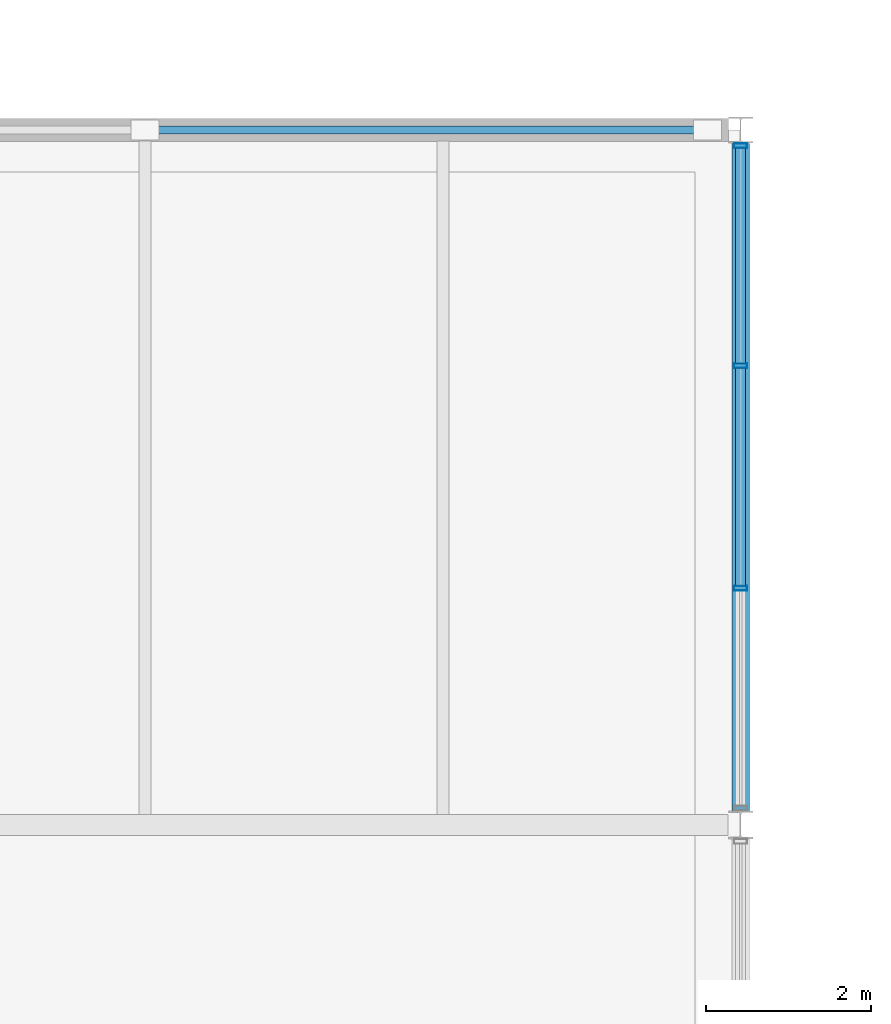
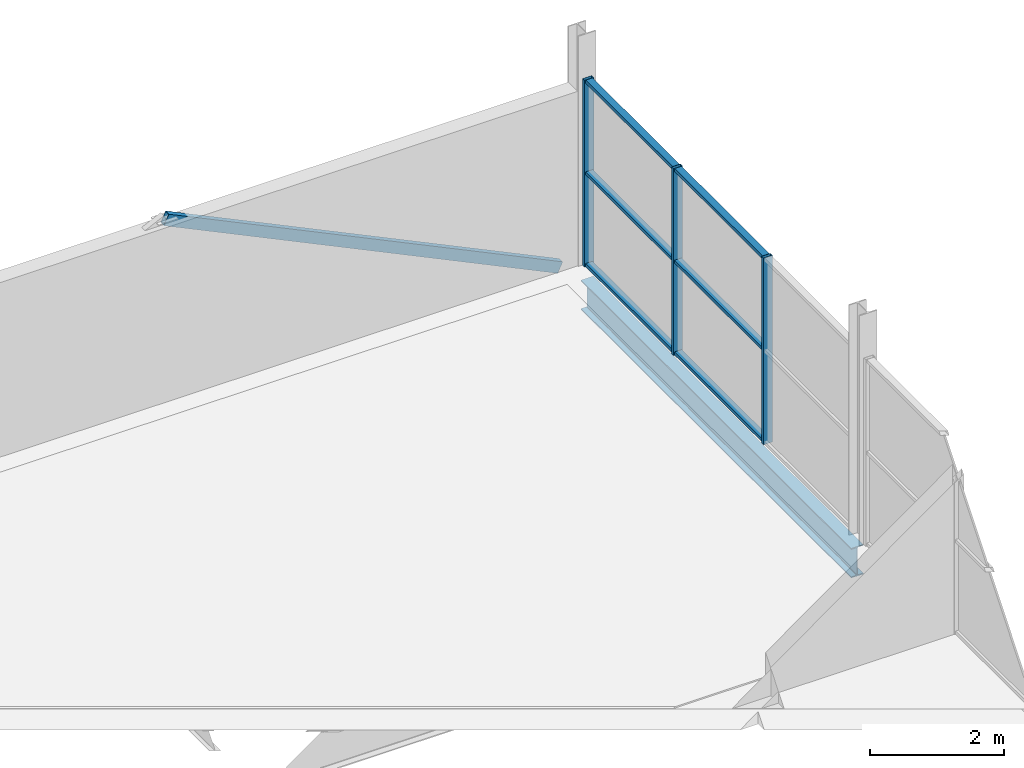
# One storey, part 66 of 93: 10 members, 1 beam, 1 element without a shape of its own.
"""IFC4 building model written with IfcOpenShell, lengths in metres."""

from ifc_helpers import new_model, si_unit, direction, frame, origin, origin_2d, place, context, subcontext, project, spatial, hollow_rectangle, i_section, extrude, material, material_profile, profile_set, type_object, element, aggregate, save


model = new_model("IFC4")

# Units and contexts
model_context = context("Model", 3, precision=1e-05, world=origin(), true_north=direction((0.0, 1.0)))
body_context = subcontext(model_context, "Body", "Model", "MODEL_VIEW")
ifc_project = project(units=[si_unit("LENGTHUNIT", "METRE"), si_unit("AREAUNIT", "SQUARE_METRE"), si_unit("VOLUMEUNIT", "CUBIC_METRE"), si_unit("PLANEANGLEUNIT", "RADIAN"), si_unit("MASSUNIT", "GRAM", prefix="KILO"), si_unit("THERMODYNAMICTEMPERATUREUNIT", "KELVIN")], contexts=[model_context])

# Site, building, storey
site_placement = place(None, origin())
site = spatial("IfcSite", under=ifc_project, at=site_placement, CompositionType="ELEMENT")
building_placement = place(site_placement, origin())
building = spatial("IfcBuilding", under=site, at=building_placement, Name="Nduvali Passage Aquatics Centre", CompositionType="ELEMENT")
storey_placement = place(building_placement, frame((0.0, 0.0, 9.0)))
storey = spatial("IfcBuildingStorey", under=building, at=storey_placement, Name="L02", CompositionType="ELEMENT", Elevation=9.0)

# Curtain wall, members
ifc_material_1 = material(Name="Aluminium EN AW-6063 T6", Category="aluminium")
curtain_wall_type = type_object("IfcCurtainWallType", Name="ENV-CW-PASS", PredefinedType="NOTDEFINED", material=ifc_material_1)
curtain_wall_placement = place(storey_placement, origin())
curtain_wall = element("IfcCurtainWall", 1, at=curtain_wall_placement, inside=storey, type_object=curtain_wall_type, Name="L02 East Passage North Studio CW 125", PredefinedType="NOTDEFINED")
ifc_material_profile_1 = material_profile(ifc_material_1, hollow_rectangle(XDim=0.06005859375, YDim=0.159912109375, WallThickness=0.00390625, at=origin_2d()), Name="ALU MULLION 60x160x4")
ifc_profile_set_1 = profile_set([ifc_material_profile_1], Name="Aluminium EN AW-6063 T6")
member_type_1 = type_object("IfcMemberType", Name="ENV-MEM-MUL60", PredefinedType="MULLION", material=ifc_profile_set_1)
member_1_placement = place(storey_placement, frame((126.0, 112.06005859375, 0.0), z_axis=(0.0, 0.0, 1.0), x_axis=(0.0, 1.0, 0.0)))
member_1 = element("IfcMember", 2, at=member_1_placement, type_object=member_type_1, Name="East Passage North Studio CW Mullion 2", PredefinedType="MULLION", context=body_context, shape_type="SweptSolid", body=[
    extrude(hollow_rectangle(XDim=0.06005859375, YDim=0.159912109375, WallThickness=0.00390625, at=origin_2d()), origin(), (0.0, 0.0, 1.0), 3.406494140625),
])
member_2_placement = place(storey_placement, frame((126.0, 114.75, 0.0), z_axis=(0.0, 0.0, 1.0), x_axis=(0.0, 1.0, 0.0)))
member_2 = element("IfcMember", 3, at=member_2_placement, type_object=member_type_1, Name="East Passage North Studio CW Mullion 3", PredefinedType="MULLION", context=body_context, shape_type="SweptSolid", body=[
    extrude(hollow_rectangle(XDim=0.06005859375, YDim=0.159912109375, WallThickness=0.00390625, at=origin_2d()), origin(), (0.0, 0.0, 1.0), 3.406494140625),
])
member_3_placement = place(storey_placement, frame((126.0, 117.409912109375, 0.0), z_axis=(0.0, 0.0, 1.0), x_axis=(0.0, 1.0, 0.0)))
member_3 = element("IfcMember", 4, at=member_3_placement, type_object=member_type_1, Name="East Passage North Studio CW Mullion 4", PredefinedType="MULLION", context=body_context, shape_type="SweptSolid", body=[
    extrude(hollow_rectangle(XDim=0.06005859375, YDim=0.159912109375, WallThickness=0.00390625, at=origin_2d()), origin(), (0.0, 0.0, 1.0), 3.406494140625),
])
ifc_material_profile_2 = material_profile(ifc_material_1, hollow_rectangle(XDim=0.1201171875, YDim=0.06005859375, WallThickness=0.00390625, at=origin_2d()), Name="ALU TRANSOM 120x60x4")
ifc_profile_set_2 = profile_set([ifc_material_profile_2], Name="Aluminium EN AW-6063 T6")
member_type_2 = type_object("IfcMemberType", Name="ENV-MEM-TRN60", PredefinedType="USERDEFINED", material=ifc_profile_set_2)
member_4_placement = place(storey_placement, frame((126.0, 112.090087890625, 0.030029296875), z_axis=(0.0, 1.0, 0.0), x_axis=(-1.0, 0.0, 0.0)))
member_4 = element("IfcMember", 5, at=member_4_placement, type_object=member_type_2, Name="East Passage North Studio CW Transom B2-R0", ObjectType="TRANSOM", PredefinedType="USERDEFINED", context=body_context, shape_type="SweptSolid", body=[
    extrude(hollow_rectangle(XDim=0.1201171875, YDim=0.06005859375, WallThickness=0.00390625, at=origin_2d()), origin(), (0.0, 0.0, 1.0), 2.6298828125),
])
member_5_placement = place(storey_placement, frame((126.0, 112.090087890625, 1.703125), z_axis=(0.0, 1.0, 0.0), x_axis=(-1.0, 0.0, 0.0)))
member_5 = element("IfcMember", 6, at=member_5_placement, type_object=member_type_2, Name="East Passage North Studio CW Transom B2-R1", ObjectType="TRANSOM", PredefinedType="USERDEFINED", context=body_context, shape_type="SweptSolid", body=[
    extrude(hollow_rectangle(XDim=0.1201171875, YDim=0.06005859375, WallThickness=0.00390625, at=origin_2d()), origin(), (0.0, 0.0, 1.0), 2.6298828125),
])
member_6_placement = place(storey_placement, frame((126.0, 112.090087890625, 3.37646484375), z_axis=(0.0, 1.0, 0.0), x_axis=(-1.0, 0.0, 0.0)))
member_6 = element("IfcMember", 7, at=member_6_placement, type_object=member_type_2, Name="East Passage North Studio CW Transom B2-R2", ObjectType="TRANSOM", PredefinedType="USERDEFINED", context=body_context, shape_type="SweptSolid", body=[
    extrude(hollow_rectangle(XDim=0.1201171875, YDim=0.06005859375, WallThickness=0.00390625, at=origin_2d()), origin(), (0.0, 0.0, 1.0), 2.6298828125),
])
member_7_placement = place(storey_placement, frame((126.0, 114.780029296875, 0.030029296875), z_axis=(0.0, 1.0, 0.0), x_axis=(-1.0, 0.0, 0.0)))
member_7 = element("IfcMember", 8, at=member_7_placement, type_object=member_type_2, Name="East Passage North Studio CW Transom B3-R0", ObjectType="TRANSOM", PredefinedType="USERDEFINED", context=body_context, shape_type="SweptSolid", body=[
    extrude(hollow_rectangle(XDim=0.1201171875, YDim=0.06005859375, WallThickness=0.00390625, at=origin_2d()), origin(), (0.0, 0.0, 1.0), 2.599853515625),
])
member_8_placement = place(storey_placement, frame((126.0, 114.780029296875, 1.703125), z_axis=(0.0, 1.0, 0.0), x_axis=(-1.0, 0.0, 0.0)))
member_8 = element("IfcMember", 9, at=member_8_placement, type_object=member_type_2, Name="East Passage North Studio CW Transom B3-R1", ObjectType="TRANSOM", PredefinedType="USERDEFINED", context=body_context, shape_type="SweptSolid", body=[
    extrude(hollow_rectangle(XDim=0.1201171875, YDim=0.06005859375, WallThickness=0.00390625, at=origin_2d()), origin(), (0.0, 0.0, 1.0), 2.599853515625),
])
member_9_placement = place(storey_placement, frame((126.0, 114.780029296875, 3.37646484375), z_axis=(0.0, 1.0, 0.0), x_axis=(-1.0, 0.0, 0.0)))
member_9 = element("IfcMember", 10, at=member_9_placement, type_object=member_type_2, Name="East Passage North Studio CW Transom B3-R2", ObjectType="TRANSOM", PredefinedType="USERDEFINED", context=body_context, shape_type="SweptSolid", body=[
    extrude(hollow_rectangle(XDim=0.1201171875, YDim=0.06005859375, WallThickness=0.00390625, at=origin_2d()), origin(), (0.0, 0.0, 1.0), 2.599853515625),
])
aggregate(curtain_wall, [member_1, member_2, member_3, member_4, member_5, member_6, member_7, member_8, member_9])

# Beam
ifc_material_2 = material(Name="Steel S355", Category="steel")
ifc_material_profile_3 = material_profile(ifc_material_2, i_section(OverallWidth=0.210693359375, OverallDepth=0.53955078125, WebThickness=0.01171875, FlangeThickness=0.018798828125, FilletRadius=0.0126953125, at=origin_2d()), Name="UKB 533x210x109")
ifc_profile_set_3 = profile_set([ifc_material_profile_3], Name="Steel S355")
beam_type = type_object("IfcBeamType", Name="STR-BM-UKB533-EXT", PredefinedType="BEAM", material=ifc_profile_set_3)
beam_placement = place(storey_placement, frame((126.0, 109.3603515625, -0.53369140625), z_axis=(0.0, 1.0, 0.0), x_axis=(-1.0, 0.0, 0.0)))
element("IfcBeam", 11, at=beam_placement, inside=storey, type_object=beam_type, Name="L02 Primary Y-Girder B6E-1020", PredefinedType="BEAM", context=body_context, shape_type="SweptSolid", body=[
    extrude(i_section(OverallWidth=0.210693359375, OverallDepth=0.53955078125, WebThickness=0.01171875, FlangeThickness=0.018798828125, FilletRadius=0.0126953125, at=origin_2d()), origin(), (0.0, 0.0, 1.0), 8.079345703125),
])

# Member
ifc_material_profile_4 = material_profile(ifc_material_2, hollow_rectangle(XDim=0.10009765625, YDim=0.199951171875, WallThickness=0.00634765625, at=origin_2d()), Name="RHS 200x100x6.3")
ifc_profile_set_4 = profile_set([ifc_material_profile_4], Name="Steel S355")
member_type_3 = type_object("IfcMemberType", Name="STR-MEM-RHS200", PredefinedType="BRACE", material=ifc_profile_set_4)
member_10_placement = place(storey_placement, frame((125.60009765625, 117.60009765625, 0.0), z_axis=(-0.902247666289, 0.0, 0.431218214686), x_axis=(0.0, -1.0, 0.0)))
element("IfcMember", 12, at=member_10_placement, inside=storey, type_object=member_type_3, Name="L02 Chevron Frame Brace 7R", PredefinedType="BRACE", context=body_context, shape_type="SweptSolid", body=[
    extrude(hollow_rectangle(XDim=0.10009765625, YDim=0.199951171875, WallThickness=0.00634765625, at=origin_2d()), origin(), (0.0, 0.0, 1.0), 7.536865234375),
])

save(model, "model.ifc")
